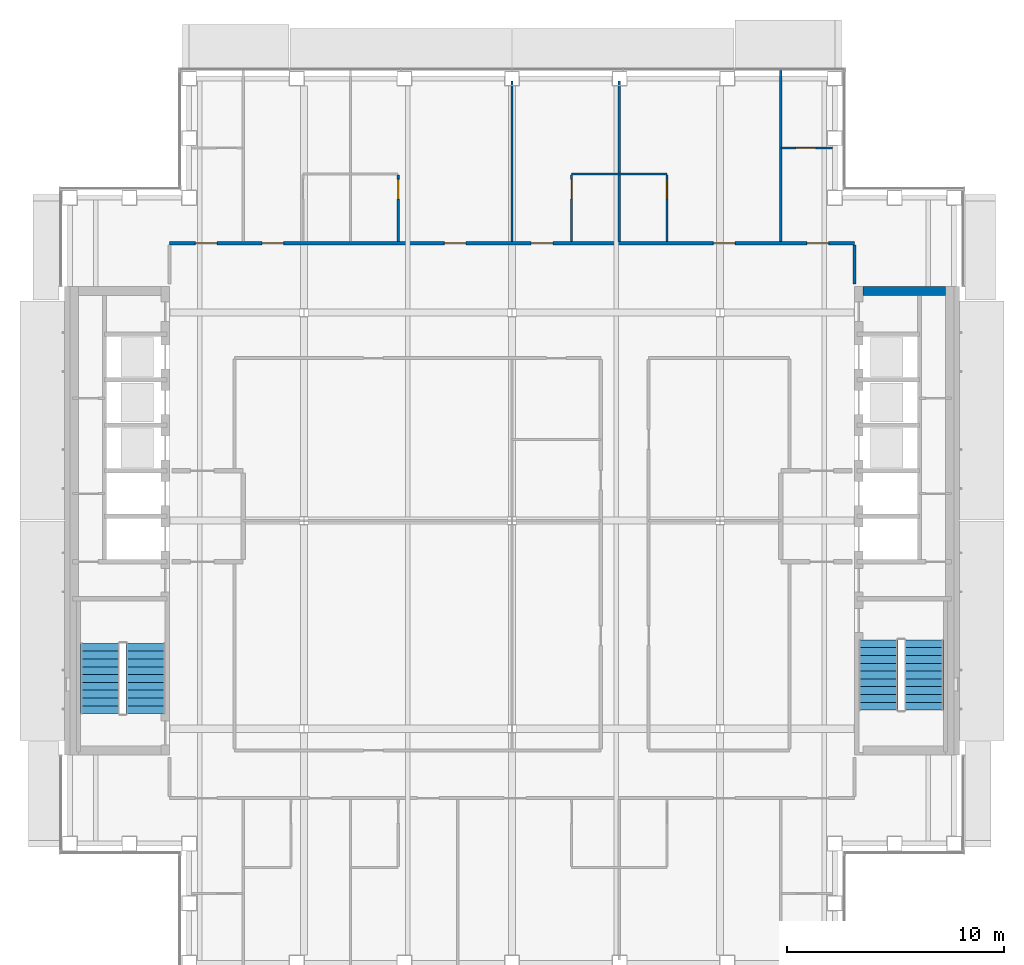
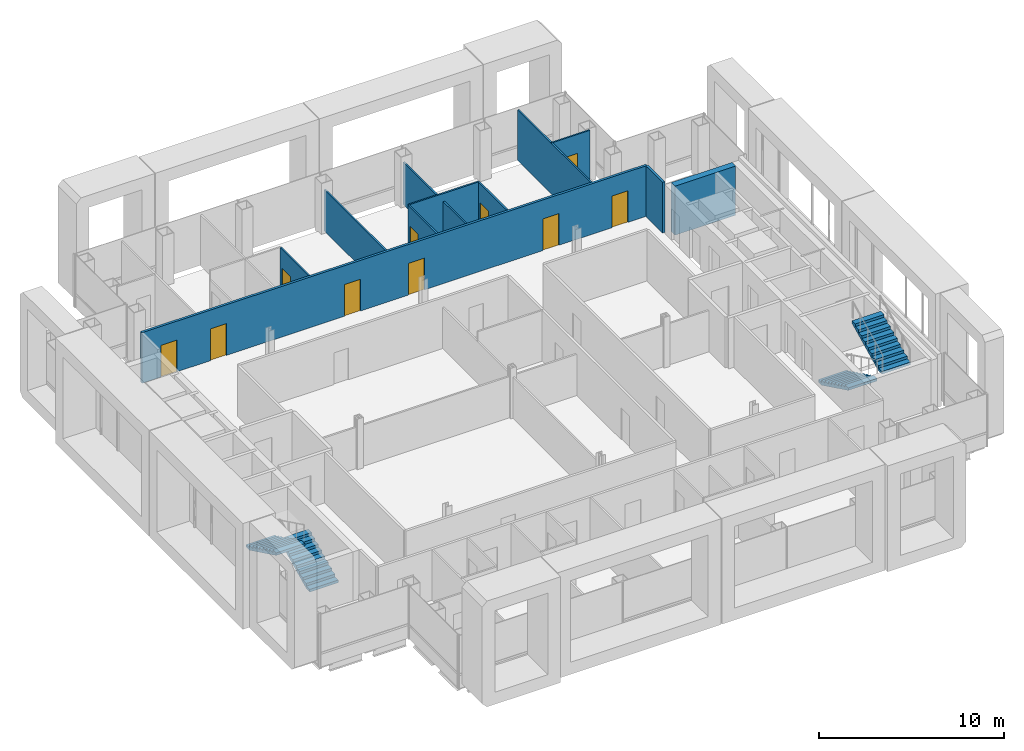
# One storey, part 12 of 19: 12 walls, 10 doors, 4 stair flights, 10 openings, 2 elements without a shape of their own.
"""IFC4 building model written with IfcOpenShell, lengths in metres."""

from ifc_helpers import new_model, si_unit, direction, frame, frame_2d, origin, place, context, subcontext, project, spatial, polyline, rectangle, outline, extrude, material, layer, layer_set, type_object, element, fill, aggregate, save


model = new_model("IFC4")

# Units and contexts
model_context = context("Model", 3, precision=1e-05, world=origin(), true_north=direction((0.0, 1.0)))
body_context = subcontext(model_context, "Body", "Model", "MODEL_VIEW")
ifc_project = project(units=[si_unit("LENGTHUNIT", "METRE"), si_unit("AREAUNIT", "SQUARE_METRE"), si_unit("VOLUMEUNIT", "CUBIC_METRE"), si_unit("PLANEANGLEUNIT", "RADIAN"), si_unit("MASSUNIT", "GRAM", prefix="KILO")], contexts=[model_context])

# Site, building, storey
site_placement = place(None, origin())
site = spatial("IfcSite", under=ifc_project, at=site_placement, CompositionType="ELEMENT")
building_placement = place(site_placement, origin())
building = spatial("IfcBuilding", under=site, at=building_placement, Name="Cobrizo Arcos Hotel Tower", CompositionType="ELEMENT")
storey_placement = place(building_placement, frame((0.0, 0.0, 198.0)))
storey = spatial("IfcBuildingStorey", under=building, at=storey_placement, Name="L51", CompositionType="ELEMENT", Elevation=198.0)

# Wall, openings, doors
ifc_material_1 = material(Name="Gypsum board partition")
ifc_layer_1 = layer(ifc_material_1, 0.14990234375)
ifc_layer_set_1 = layer_set([ifc_layer_1], Name="Corridor wall EI 60 150")
wall_type_1 = type_object("IfcWallType", Name="Corridor wall EI 60 150", PredefinedType="PARTITIONING", material=ifc_layer_set_1)
wall_1_placement = place(storey_placement, frame((-15.800048828125, 12.800048828125, 0.0), z_axis=(0.0, 0.0, 1.0), x_axis=(1.0, 0.0, 0.0)))
wall_1 = element("IfcWall", 1, at=wall_1_placement, inside=storey, type_object=wall_type_1, Name="Partition 042", PredefinedType="PARTITIONING", context=body_context, shape_type="SweptSolid", body=[
    extrude(rectangle(XDim=31.60009765625, YDim=0.14990234375, at=frame_2d((15.800048828125, 0.0))), origin(), (0.0, 0.0, 1.0), 3.35009765625),
])
opening_1_placement = place(wall_1_placement, frame((4.26708984375, 0.0, 0.0)))
opening_1 = element("IfcOpeningElement", 2, at=opening_1_placement, cuts=wall_1, Name="Opening GD-01", PredefinedType="OPENING", context=body_context, shape_type="SweptSolid", body=[
    extrude(rectangle(XDim=1.0, YDim=2.10009765625, at=frame_2d((0.5, 1.050048828125))), frame((0.0, 0.0869140625, 0.0), z_axis=(0.0, -1.0, 0.0), x_axis=(1.0, 0.0, 0.0)), (0.0, 0.0, 1.0), 0.173828125),
])
opening_2_placement = place(wall_1_placement, frame((12.675048828125, 0.0, 0.0)))
opening_2 = element("IfcOpeningElement", 3, at=opening_2_placement, cuts=wall_1, Name="Opening GD-02", PredefinedType="OPENING", context=body_context, shape_type="SweptSolid", body=[
    extrude(rectangle(XDim=1.0, YDim=2.10009765625, at=frame_2d((0.5, 1.050048828125))), frame((0.0, 0.0869140625, 0.0), z_axis=(0.0, -1.0, 0.0), x_axis=(1.0, 0.0, 0.0)), (0.0, 0.0, 1.0), 0.173828125),
])
opening_3_placement = place(wall_1_placement, frame((16.68408203125, 0.0, 0.0)))
opening_3 = element("IfcOpeningElement", 4, at=opening_3_placement, cuts=wall_1, Name="Opening GD-03", PredefinedType="OPENING", context=body_context, shape_type="SweptSolid", body=[
    extrude(rectangle(XDim=1.0, YDim=2.10009765625, at=frame_2d((0.5, 1.050048828125))), frame((0.0, 0.0869140625, 0.0), z_axis=(0.0, -1.0, 0.0), x_axis=(1.0, 0.0, 0.0)), (0.0, 0.0, 1.0), 0.173828125),
])
opening_4_placement = place(wall_1_placement, frame((25.092041015625, 0.0, 0.0)))
opening_4 = element("IfcOpeningElement", 5, at=opening_4_placement, cuts=wall_1, Name="Opening GD-04", PredefinedType="OPENING", context=body_context, shape_type="SweptSolid", body=[
    extrude(rectangle(XDim=1.0, YDim=2.10009765625, at=frame_2d((0.5, 1.050048828125))), frame((0.0, 0.0869140625, 0.0), z_axis=(0.0, -1.0, 0.0), x_axis=(1.0, 0.0, 0.0)), (0.0, 0.0, 1.0), 0.173828125),
])
opening_5_placement = place(wall_1_placement, frame((1.19189453125, 0.0, 0.0)))
opening_5 = element("IfcOpeningElement", 6, at=opening_5_placement, cuts=wall_1, Name="Opening GD-10", PredefinedType="OPENING", context=body_context, shape_type="SweptSolid", body=[
    extrude(rectangle(XDim=1.0, YDim=2.10009765625, at=frame_2d((0.5, 1.050048828125))), frame((0.0, 0.0869140625, 0.0), z_axis=(0.0, -1.0, 0.0), x_axis=(1.0, 0.0, 0.0)), (0.0, 0.0, 1.0), 0.173828125),
])
opening_6_placement = place(wall_1_placement, frame((29.408935546875, 0.0, 0.0)))
opening_6 = element("IfcOpeningElement", 7, at=opening_6_placement, cuts=wall_1, Name="Opening GD-12", PredefinedType="OPENING", context=body_context, shape_type="SweptSolid", body=[
    extrude(rectangle(XDim=1.0, YDim=2.10009765625, at=frame_2d((0.5, 1.050048828125))), frame((0.0, 0.0869140625, 0.0), z_axis=(0.0, -1.0, 0.0), x_axis=(1.0, 0.0, 0.0)), (0.0, 0.0, 1.0), 0.173828125),
])
ifc_material_2 = material(Name="Timber door leaf", Category="wood")
door_type_1 = type_object("IfcDoorType", Name="Guest room door FD30S 1000x2100", OperationType="SINGLE_SWING_LEFT", PredefinedType="DOOR", material=ifc_material_2)
door_1_placement = place(opening_1_placement, origin())
door_1 = element("IfcDoor", 8, at=door_1_placement, inside=storey, type_object=door_type_1, Name="Door GD-01", OperationType="SINGLE_SWING_LEFT", OverallHeight=2.10009765625, OverallWidth=1.0, PredefinedType="DOOR", context=body_context, shape_type="SweptSolid", body=[
    extrude(rectangle(XDim=1.0, YDim=2.10009765625, at=frame_2d((0.5, 1.050048828125))), frame((0.0, 0.02490234375, 0.0), z_axis=(0.0, -1.0, 0.0), x_axis=(1.0, 0.0, 0.0)), (0.0, 0.0, 1.0), 0.050048828125),
])
fill(opening_1, door_1)
door_2_placement = place(opening_2_placement, origin())
door_2 = element("IfcDoor", 9, at=door_2_placement, inside=storey, type_object=door_type_1, Name="Door GD-02", OperationType="SINGLE_SWING_RIGHT", OverallHeight=2.10009765625, OverallWidth=1.0, PredefinedType="DOOR", context=body_context, shape_type="SweptSolid", body=[
    extrude(rectangle(XDim=1.0, YDim=2.10009765625, at=frame_2d((0.5, 1.050048828125))), frame((0.0, 0.02490234375, 0.0), z_axis=(0.0, -1.0, 0.0), x_axis=(1.0, 0.0, 0.0)), (0.0, 0.0, 1.0), 0.050048828125),
])
fill(opening_2, door_2)
door_3_placement = place(opening_3_placement, origin())
door_3 = element("IfcDoor", 10, at=door_3_placement, inside=storey, type_object=door_type_1, Name="Door GD-03", OperationType="SINGLE_SWING_LEFT", OverallHeight=2.10009765625, OverallWidth=1.0, PredefinedType="DOOR", context=body_context, shape_type="SweptSolid", body=[
    extrude(rectangle(XDim=1.0, YDim=2.10009765625, at=frame_2d((0.5, 1.050048828125))), frame((0.0, 0.02490234375, 0.0), z_axis=(0.0, -1.0, 0.0), x_axis=(1.0, 0.0, 0.0)), (0.0, 0.0, 1.0), 0.050048828125),
])
fill(opening_3, door_3)
door_4_placement = place(opening_4_placement, origin())
door_4 = element("IfcDoor", 11, at=door_4_placement, inside=storey, type_object=door_type_1, Name="Door GD-04", OperationType="SINGLE_SWING_LEFT", OverallHeight=2.10009765625, OverallWidth=1.0, PredefinedType="DOOR", context=body_context, shape_type="SweptSolid", body=[
    extrude(rectangle(XDim=1.0, YDim=2.10009765625, at=frame_2d((0.5, 1.050048828125))), frame((0.0, 0.02490234375, 0.0), z_axis=(0.0, -1.0, 0.0), x_axis=(1.0, 0.0, 0.0)), (0.0, 0.0, 1.0), 0.050048828125),
])
fill(opening_4, door_4)
door_5_placement = place(opening_5_placement, origin())
door_5 = element("IfcDoor", 12, at=door_5_placement, inside=storey, type_object=door_type_1, Name="Door GD-10", OperationType="SINGLE_SWING_LEFT", OverallHeight=2.10009765625, OverallWidth=1.0, PredefinedType="DOOR", context=body_context, shape_type="SweptSolid", body=[
    extrude(rectangle(XDim=1.0, YDim=2.10009765625, at=frame_2d((0.5, 1.050048828125))), frame((0.0, 0.02490234375, 0.0), z_axis=(0.0, -1.0, 0.0), x_axis=(1.0, 0.0, 0.0)), (0.0, 0.0, 1.0), 0.050048828125),
])
fill(opening_5, door_5)
door_6_placement = place(opening_6_placement, origin())
door_6 = element("IfcDoor", 13, at=door_6_placement, inside=storey, type_object=door_type_1, Name="Door GD-12", OperationType="SINGLE_SWING_RIGHT", OverallHeight=2.10009765625, OverallWidth=1.0, PredefinedType="DOOR", context=body_context, shape_type="SweptSolid", body=[
    extrude(rectangle(XDim=1.0, YDim=2.10009765625, at=frame_2d((0.5, 1.050048828125))), frame((0.0, 0.02490234375, 0.0), z_axis=(0.0, -1.0, 0.0), x_axis=(1.0, 0.0, 0.0)), (0.0, 0.0, 1.0), 0.050048828125),
])
fill(opening_6, door_6)

# Walls
wall_2_placement = place(storey_placement, frame((15.800048828125, 10.919921875, 0.0), z_axis=(0.0, 0.0, 1.0), x_axis=(0.0, 1.0, 0.0)))
element("IfcWall", 14, at=wall_2_placement, inside=storey, type_object=wall_type_1, Name="Partition 085", PredefinedType="PARTITIONING", context=body_context, shape_type="SweptSolid", body=[
    extrude(rectangle(XDim=1.80517578125, YDim=0.14990234375, at=frame_2d((0.902587890625, 0.0))), origin(), (0.0, 0.0, 1.0), 3.35009765625),
])
ifc_layer_2 = layer(ifc_material_1, 0.10009765625)
ifc_layer_set_2 = layer_set([ifc_layer_2], Name="Partition EI 30 100")
wall_type_2 = type_object("IfcWallType", Name="Partition EI 30 100", PredefinedType="PARTITIONING", material=ifc_layer_set_2)
wall_3_placement = place(storey_placement, frame((2.75, 16.0, 0.0), z_axis=(0.0, 0.0, 1.0), x_axis=(1.0, 0.0, 0.0)))
element("IfcWall", 15, at=wall_3_placement, inside=storey, type_object=wall_type_2, Name="Partition 044", PredefinedType="PARTITIONING", context=body_context, shape_type="SweptSolid", body=[
    extrude(rectangle(XDim=4.39990234375, YDim=0.10009765625, at=frame_2d((2.199951171875, 0.0))), origin(), (0.0, 0.0, 1.0), 3.35009765625),
])

# Wall, opening, door
wall_4_placement = place(storey_placement, frame((12.39990234375, 17.199951171875, 0.0), z_axis=(0.0, 0.0, 1.0), x_axis=(1.0, 0.0, 0.0)))
wall_4 = element("IfcWall", 16, at=wall_4_placement, inside=storey, type_object=wall_type_2, Name="Partition 046", PredefinedType="PARTITIONING", context=body_context, shape_type="SweptSolid", body=[
    extrude(rectangle(XDim=2.380126953125, YDim=0.10009765625, at=frame_2d((1.18994140625, 0.0))), origin(), (0.0, 0.0, 1.0), 3.35009765625),
])
opening_7_placement = place(wall_4_placement, frame((0.705078125, 0.0, 0.0)))
opening_7 = element("IfcOpeningElement", 17, at=opening_7_placement, cuts=wall_4, Name="Opening ED-12", PredefinedType="OPENING", context=body_context, shape_type="SweptSolid", body=[
    extrude(rectangle(XDim=0.89990234375, YDim=2.10009765625, at=frame_2d((0.449951171875, 1.050048828125))), frame((0.0, 0.06201171875, 0.0), z_axis=(0.0, -1.0, 0.0), x_axis=(1.0, 0.0, 0.0)), (0.0, 0.0, 1.0), 0.1240234375),
])
door_type_2 = type_object("IfcDoorType", Name="En-suite door 900x2100", OperationType="SINGLE_SWING_LEFT", PredefinedType="DOOR", material=ifc_material_2)
door_7_placement = place(opening_7_placement, origin())
door_7 = element("IfcDoor", 18, at=door_7_placement, inside=storey, type_object=door_type_2, Name="Door ED-12", OperationType="SINGLE_SWING_LEFT", OverallHeight=2.10009765625, OverallWidth=0.89990234375, PredefinedType="DOOR", context=body_context, shape_type="SweptSolid", body=[
    extrude(rectangle(XDim=0.89990234375, YDim=2.10009765625, at=frame_2d((0.449951171875, 1.050048828125))), frame((0.0, 0.02490234375, 0.0), z_axis=(0.0, -1.0, 0.0), x_axis=(1.0, 0.0, 0.0)), (0.0, 0.0, 1.0), 0.050048828125),
])
fill(opening_7, door_7)

wall_5_placement = place(storey_placement, frame((-5.25, 12.875, 0.0), z_axis=(0.0, 0.0, 1.0), x_axis=(0.0, 1.0, 0.0)))
wall_5 = element("IfcWall", 19, at=wall_5_placement, inside=storey, type_object=wall_type_2, Name="Partition 062", PredefinedType="PARTITIONING", context=body_context, shape_type="SweptSolid", body=[
    extrude(rectangle(XDim=3.074951171875, YDim=0.10009765625, at=frame_2d((1.53759765625, 0.0))), origin(), (0.0, 0.0, 1.0), 3.35009765625),
])
opening_8_placement = place(wall_5_placement, frame((1.970947265625, 0.0, 0.0)))
opening_8 = element("IfcOpeningElement", 20, at=opening_8_placement, cuts=wall_5, Name="Opening ED-02", PredefinedType="OPENING", context=body_context, shape_type="SweptSolid", body=[
    extrude(rectangle(XDim=0.89990234375, YDim=2.10009765625, at=frame_2d((0.449951171875, 1.050048828125))), frame((0.0, 0.06201171875, 0.0), z_axis=(0.0, -1.0, 0.0), x_axis=(1.0, 0.0, 0.0)), (0.0, 0.0, 1.0), 0.1240234375),
])
door_8_placement = place(opening_8_placement, origin())
door_8 = element("IfcDoor", 21, at=door_8_placement, inside=storey, type_object=door_type_2, Name="Door ED-02", OperationType="SINGLE_SWING_RIGHT", OverallHeight=2.10009765625, OverallWidth=0.89990234375, PredefinedType="DOOR", context=body_context, shape_type="SweptSolid", body=[
    extrude(rectangle(XDim=0.89990234375, YDim=2.10009765625, at=frame_2d((0.449951171875, 1.050048828125))), frame((0.0, 0.02490234375, 0.0), z_axis=(0.0, -1.0, 0.0), x_axis=(1.0, 0.0, 0.0)), (0.0, 0.0, 1.0), 0.050048828125),
])
fill(opening_8, door_8)

# Wall
wall_6_placement = place(storey_placement, frame((0.0, 12.875, 0.0), z_axis=(0.0, 0.0, 1.0), x_axis=(0.0, 1.0, 0.0)))
element("IfcWall", 22, at=wall_6_placement, inside=storey, type_object=wall_type_2, Name="Partition 068", PredefinedType="PARTITIONING", context=body_context, shape_type="SweptSolid", body=[
    extrude(rectangle(XDim=7.405029296875, YDim=0.10009765625, at=frame_2d((3.70263671875, 0.0))), origin(), (0.0, 0.0, 1.0), 2.72802734375),
])

# Wall, opening, door
wall_7_placement = place(storey_placement, frame((2.75, 12.875, 0.0), z_axis=(0.0, 0.0, 1.0), x_axis=(0.0, 1.0, 0.0)))
wall_7 = element("IfcWall", 23, at=wall_7_placement, inside=storey, type_object=wall_type_2, Name="Partition 070", PredefinedType="PARTITIONING", context=body_context, shape_type="SweptSolid", body=[
    extrude(rectangle(XDim=3.074951171875, YDim=0.10009765625, at=frame_2d((1.53759765625, 0.0))), origin(), (0.0, 0.0, 1.0), 3.35009765625),
])
opening_9_placement = place(wall_7_placement, frame((1.970947265625, 0.0, 0.0)))
opening_9 = element("IfcOpeningElement", 24, at=opening_9_placement, cuts=wall_7, Name="Opening ED-03", PredefinedType="OPENING", context=body_context, shape_type="SweptSolid", body=[
    extrude(rectangle(XDim=0.89990234375, YDim=2.10009765625, at=frame_2d((0.449951171875, 1.050048828125))), frame((0.0, 0.06201171875, 0.0), z_axis=(0.0, -1.0, 0.0), x_axis=(1.0, 0.0, 0.0)), (0.0, 0.0, 1.0), 0.1240234375),
])
door_9_placement = place(opening_9_placement, origin())
door_9 = element("IfcDoor", 25, at=door_9_placement, inside=storey, type_object=door_type_2, Name="Door ED-03", OperationType="SINGLE_SWING_LEFT", OverallHeight=2.10009765625, OverallWidth=0.89990234375, PredefinedType="DOOR", context=body_context, shape_type="SweptSolid", body=[
    extrude(rectangle(XDim=0.89990234375, YDim=2.10009765625, at=frame_2d((0.449951171875, 1.050048828125))), frame((0.0, 0.02490234375, 0.0), z_axis=(0.0, -1.0, 0.0), x_axis=(1.0, 0.0, 0.0)), (0.0, 0.0, 1.0), 0.050048828125),
])
fill(opening_9, door_9)

# Walls
wall_8_placement = place(storey_placement, frame((4.949951171875, 12.875, 0.0), z_axis=(0.0, 0.0, 1.0), x_axis=(0.0, 1.0, 0.0)))
element("IfcWall", 26, at=wall_8_placement, inside=storey, type_object=wall_type_2, Name="Partition 074", PredefinedType="PARTITIONING", context=body_context, shape_type="SweptSolid", body=[
    extrude(rectangle(XDim=3.074951171875, YDim=0.10009765625, at=frame_2d((1.53759765625, 0.0))), origin(), (0.0, 0.0, 1.0), 2.81689453125),
])
wall_9_placement = place(storey_placement, frame((4.949951171875, 16.050048828125, 0.0), z_axis=(0.0, 0.0, 1.0), x_axis=(0.0, 1.0, 0.0)))
element("IfcWall", 27, at=wall_9_placement, inside=storey, type_object=wall_type_2, Name="Partition 075", PredefinedType="PARTITIONING", context=body_context, shape_type="SweptSolid", body=[
    extrude(rectangle(XDim=4.22998046875, YDim=0.10009765625, at=frame_2d((2.114990234375, 0.0))), origin(), (0.0, 0.0, 1.0), 2.81689453125),
])

# Wall, opening, door
wall_10_placement = place(storey_placement, frame((7.14990234375, 12.875, 0.0), z_axis=(0.0, 0.0, 1.0), x_axis=(0.0, 1.0, 0.0)))
wall_10 = element("IfcWall", 28, at=wall_10_placement, inside=storey, type_object=wall_type_2, Name="Partition 078", PredefinedType="PARTITIONING", context=body_context, shape_type="SweptSolid", body=[
    extrude(rectangle(XDim=3.074951171875, YDim=0.10009765625, at=frame_2d((1.53759765625, 0.0))), origin(), (0.0, 0.0, 1.0), 3.35009765625),
])
opening_10_placement = place(wall_10_placement, frame((1.970947265625, 0.0, 0.0)))
opening_10 = element("IfcOpeningElement", 29, at=opening_10_placement, cuts=wall_10, Name="Opening ED-04", PredefinedType="OPENING", context=body_context, shape_type="SweptSolid", body=[
    extrude(rectangle(XDim=0.89990234375, YDim=2.10009765625, at=frame_2d((0.449951171875, 1.050048828125))), frame((0.0, 0.06201171875, 0.0), z_axis=(0.0, -1.0, 0.0), x_axis=(1.0, 0.0, 0.0)), (0.0, 0.0, 1.0), 0.1240234375),
])
door_10_placement = place(opening_10_placement, origin())
door_10 = element("IfcDoor", 30, at=door_10_placement, inside=storey, type_object=door_type_2, Name="Door ED-04", OperationType="SINGLE_SWING_LEFT", OverallHeight=2.10009765625, OverallWidth=0.89990234375, PredefinedType="DOOR", context=body_context, shape_type="SweptSolid", body=[
    extrude(rectangle(XDim=0.89990234375, YDim=2.10009765625, at=frame_2d((0.449951171875, 1.050048828125))), frame((0.0, 0.02490234375, 0.0), z_axis=(0.0, -1.0, 0.0), x_axis=(1.0, 0.0, 0.0)), (0.0, 0.0, 1.0), 0.050048828125),
])
fill(opening_10, door_10)

# Walls
wall_11_placement = place(storey_placement, frame((12.39990234375, 12.875, 0.0), z_axis=(0.0, 0.0, 1.0), x_axis=(0.0, 1.0, 0.0)))
element("IfcWall", 31, at=wall_11_placement, inside=storey, type_object=wall_type_2, Name="Partition 081", PredefinedType="PARTITIONING", context=body_context, shape_type="SweptSolid", body=[
    extrude(rectangle(XDim=7.905029296875, YDim=0.10009765625, at=frame_2d((3.95263671875, 0.0))), origin(), (0.0, 0.0, 1.0), 3.35009765625),
])
ifc_material_3 = material(Name="Concrete f'c 40 MPa", Category="concrete")
ifc_layer_3 = layer(ifc_material_3, 0.39990234375)
ifc_layer_set_3 = layer_set([ifc_layer_3], Name="RC core wall 400 f'c 40")
wall_type_3 = type_object("IfcWallType", Name="RC core wall 400 f'c 40", PredefinedType="SHEAR", material=ifc_layer_set_3)
wall_12_placement = place(storey_placement, frame((16.199951171875, 10.60009765625, 0.0), z_axis=(0.0, 0.0, 1.0), x_axis=(1.0, 0.0, 0.0)))
element("IfcWall", 32, at=wall_12_placement, inside=storey, type_object=wall_type_3, Name="Core wall CW4, east core, north end, L51", PredefinedType="SHEAR", context=body_context, shape_type="SweptSolid", body=[
    extrude(rectangle(XDim=3.800048828125, YDim=0.39990234375, at=frame_2d((1.89990234375, 0.0))), origin(), (0.0, 0.0, 1.0), 3.25),
])

# Stair, stair flights
stair_type = type_object("IfcStairType", Name="Exit stair", PredefinedType="HALF_TURN_STAIR", material=ifc_material_3)
stair_1_placement = place(storey_placement, origin())
stair_1 = element("IfcStair", 33, at=stair_1_placement, inside=storey, type_object=stair_type, Name="L51 Exit stair ST-W", PredefinedType="HALF_TURN_STAIR")
stair_flight_type = type_object("IfcStairFlightType", Name="Exit stair flight", PredefinedType="STRAIGHT", material=ifc_material_3)
stair_flight_1_placement = place(storey_placement, frame((-16.89990234375, -8.89990234375, 0.0), z_axis=(0.0, 0.0, 1.0), x_axis=(0.0, 1.0, 0.0)))
stair_flight_1 = element("IfcStairFlight", 34, at=stair_flight_1_placement, type_object=stair_flight_type, Name="ST-W flight 1", NumberOfRisers=10, NumberOfTreads=9, PredefinedType="STRAIGHT", RiserHeight=0.175, TreadLength=0.36, context=body_context, shape_type="SweptSolid", body=[
    extrude(outline(polyline([(0.0, 0.0), (0.0, 0.175048828125), (0.360107421875, 0.175048828125), (0.360107421875, 0.35009765625), (0.719970703125, 0.35009765625), (0.719970703125, 0.52490234375), (1.080078125, 0.52490234375), (1.080078125, 0.699951171875), (1.43994140625, 0.699951171875), (1.43994140625, 0.875), (1.800048828125, 0.875), (1.800048828125, 1.050048828125), (2.159912109375, 1.050048828125), (2.159912109375, 1.22509765625), (2.52001953125, 1.22509765625), (2.52001953125, 1.39990234375), (2.8798828125, 1.39990234375), (2.8798828125, 1.574951171875), (3.239990234375, 1.574951171875), (3.239990234375, 1.75), (3.239990234375, 1.408203125), (0.3427734375, 0.0), (0.0, 0.0)])), frame((0.0, 0.89990234375, 0.0), z_axis=(0.0, -1.0, 0.0), x_axis=(1.0, 0.0, 0.0)), (0.0, 0.0, 1.0), 1.800048828125),
])
stair_flight_2_placement = place(storey_placement, frame((-19.0, -5.659912109375, 1.75), z_axis=(0.0, 0.0, 1.0), x_axis=(0.0, -1.0, 0.0)))
stair_flight_2 = element("IfcStairFlight", 35, at=stair_flight_2_placement, type_object=stair_flight_type, Name="ST-W flight 2", NumberOfRisers=10, NumberOfTreads=9, PredefinedType="STRAIGHT", RiserHeight=0.175, TreadLength=0.36, context=body_context, shape_type="SweptSolid", body=[
    extrude(outline(polyline([(0.0, 0.0), (0.0, 0.175048828125), (0.360107421875, 0.175048828125), (0.360107421875, 0.35009765625), (0.719970703125, 0.35009765625), (0.719970703125, 0.52490234375), (1.080078125, 0.52490234375), (1.080078125, 0.699951171875), (1.43994140625, 0.699951171875), (1.43994140625, 0.875), (1.800048828125, 0.875), (1.800048828125, 1.050048828125), (2.159912109375, 1.050048828125), (2.159912109375, 1.22509765625), (2.52001953125, 1.22509765625), (2.52001953125, 1.39990234375), (2.8798828125, 1.39990234375), (2.8798828125, 1.574951171875), (3.239990234375, 1.574951171875), (3.239990234375, 1.75), (3.239990234375, 1.408203125), (0.3427734375, 0.0), (0.0, 0.0)])), frame((0.0, 0.89990234375, 0.0), z_axis=(0.0, -1.0, 0.0), x_axis=(1.0, 0.0, 0.0)), (0.0, 0.0, 1.0), 1.800048828125),
])
aggregate(stair_1, [stair_flight_1, stair_flight_2])

stair_2_placement = place(storey_placement, origin())
stair_2 = element("IfcStair", 36, at=stair_2_placement, inside=storey, type_object=stair_type, Name="L51 Exit stair ST-E", PredefinedType="HALF_TURN_STAIR")
stair_flight_3_placement = place(storey_placement, frame((16.89990234375, -5.5, 0.0), z_axis=(0.0, 0.0, 1.0), x_axis=(0.0, -1.0, 0.0)))
stair_flight_3 = element("IfcStairFlight", 37, at=stair_flight_3_placement, type_object=stair_flight_type, Name="ST-E flight 1", NumberOfRisers=10, NumberOfTreads=9, PredefinedType="STRAIGHT", RiserHeight=0.175, TreadLength=0.36, context=body_context, shape_type="SweptSolid", body=[
    extrude(outline(polyline([(0.0, 0.0), (0.0, 0.175048828125), (0.360107421875, 0.175048828125), (0.360107421875, 0.35009765625), (0.719970703125, 0.35009765625), (0.719970703125, 0.52490234375), (1.080078125, 0.52490234375), (1.080078125, 0.699951171875), (1.43994140625, 0.699951171875), (1.43994140625, 0.875), (1.800048828125, 0.875), (1.800048828125, 1.050048828125), (2.159912109375, 1.050048828125), (2.159912109375, 1.22509765625), (2.52001953125, 1.22509765625), (2.52001953125, 1.39990234375), (2.8798828125, 1.39990234375), (2.8798828125, 1.574951171875), (3.239990234375, 1.574951171875), (3.239990234375, 1.75), (3.239990234375, 1.408203125), (0.3427734375, 0.0), (0.0, 0.0)])), frame((0.0, 0.89990234375, 0.0), z_axis=(0.0, -1.0, 0.0), x_axis=(1.0, 0.0, 0.0)), (0.0, 0.0, 1.0), 1.800048828125),
])
stair_flight_4_placement = place(storey_placement, frame((19.0, -8.739990234375, 1.75), z_axis=(0.0, 0.0, 1.0), x_axis=(0.0, 1.0, 0.0)))
stair_flight_4 = element("IfcStairFlight", 38, at=stair_flight_4_placement, type_object=stair_flight_type, Name="ST-E flight 2", NumberOfRisers=10, NumberOfTreads=9, PredefinedType="STRAIGHT", RiserHeight=0.175, TreadLength=0.36, context=body_context, shape_type="SweptSolid", body=[
    extrude(outline(polyline([(0.0, 0.0), (0.0, 0.175048828125), (0.360107421875, 0.175048828125), (0.360107421875, 0.35009765625), (0.719970703125, 0.35009765625), (0.719970703125, 0.52490234375), (1.080078125, 0.52490234375), (1.080078125, 0.699951171875), (1.43994140625, 0.699951171875), (1.43994140625, 0.875), (1.800048828125, 0.875), (1.800048828125, 1.050048828125), (2.159912109375, 1.050048828125), (2.159912109375, 1.22509765625), (2.52001953125, 1.22509765625), (2.52001953125, 1.39990234375), (2.8798828125, 1.39990234375), (2.8798828125, 1.574951171875), (3.239990234375, 1.574951171875), (3.239990234375, 1.75), (3.239990234375, 1.408203125), (0.3427734375, 0.0), (0.0, 0.0)])), frame((0.0, 0.89990234375, 0.0), z_axis=(0.0, -1.0, 0.0), x_axis=(1.0, 0.0, 0.0)), (0.0, 0.0, 1.0), 1.800048828125),
])
aggregate(stair_2, [stair_flight_3, stair_flight_4])

save(model, "model.ifc")
